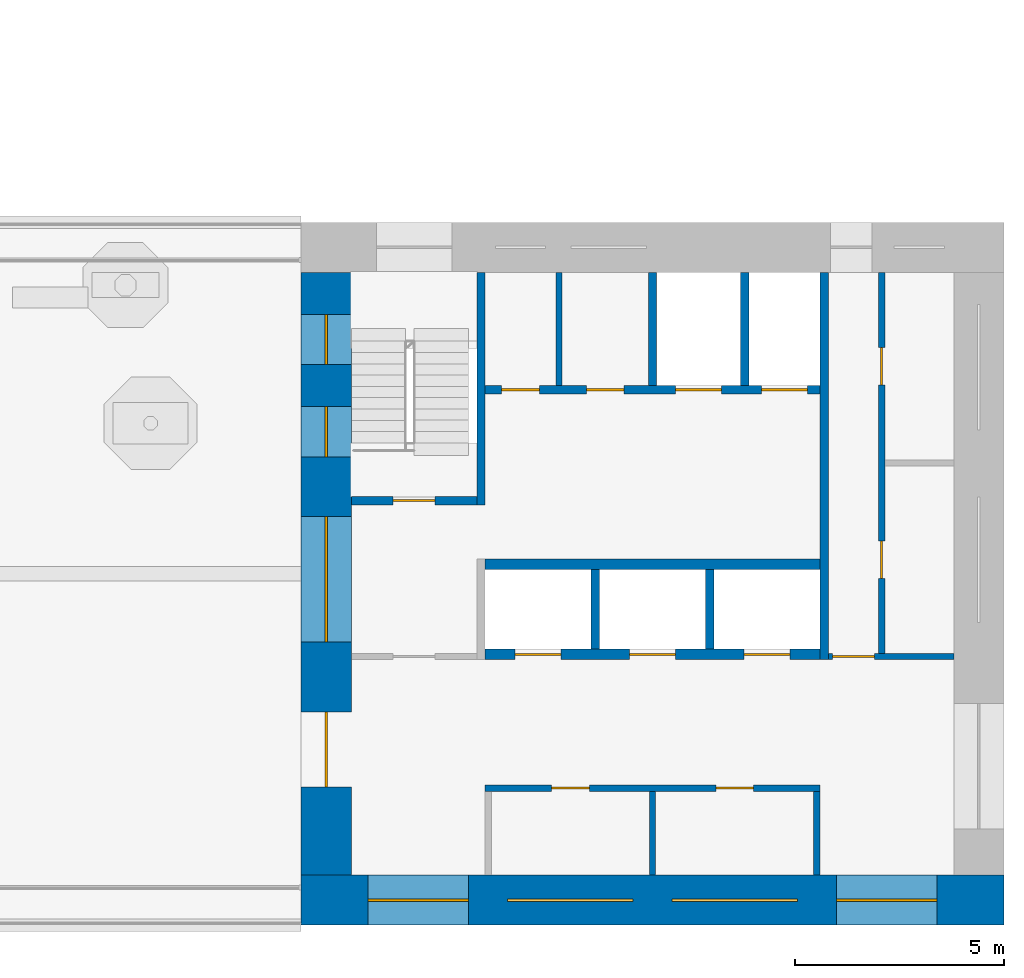
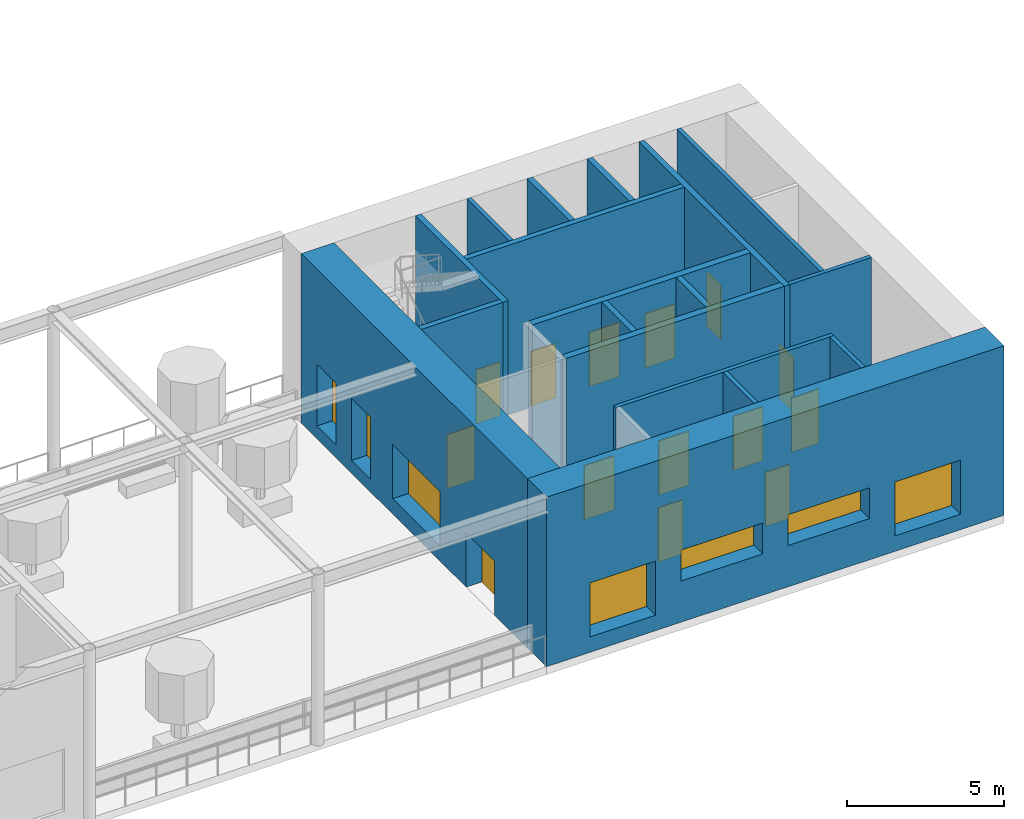
# One storey, part 9 of 15: 18 walls, 14 doors, 7 windows, 21 openings.
"""IFC4 building model written with IfcOpenShell, lengths in metres."""

from ifc_helpers import new_model, si_unit, direction, frame, frame_2d, origin, place, context, subcontext, project, spatial, rectangle, extrude, material, layer, layer_set, type_object, element, fill, save


model = new_model("IFC4")

# Units and contexts
model_context = context("Model", 3, precision=1e-05, world=origin(), true_north=direction((0.0, 1.0)))
body_context = subcontext(model_context, "Body", "Model", "MODEL_VIEW")
ifc_project = project(units=[si_unit("LENGTHUNIT", "METRE"), si_unit("AREAUNIT", "SQUARE_METRE"), si_unit("VOLUMEUNIT", "CUBIC_METRE"), si_unit("PLANEANGLEUNIT", "RADIAN"), si_unit("MASSUNIT", "GRAM", prefix="KILO")], contexts=[model_context])

# Site, building, storey
site_placement = place(None, origin())
site = spatial("IfcSite", under=ifc_project, at=site_placement, CompositionType="ELEMENT")
building_placement = place(site_placement, origin())
building = spatial("IfcBuilding", under=site, at=building_placement, Name="Vermilion Gate Residences", CompositionType="ELEMENT")
storey_placement = place(building_placement, frame((0.0, 0.0, 277.199951171875)))
storey = spatial("IfcBuildingStorey", under=building, at=storey_placement, Name="L73", CompositionType="ELEMENT", Elevation=277.199951171875)

# Walls
ifc_material_1 = material(Name="Masonry blockwork", Category="masonry")
ifc_layer_1 = layer(ifc_material_1, 0.14990234375)
ifc_layer_set_1 = layer_set([ifc_layer_1], Name="BLOCKWORK PARTITION 150 EI 120")
wall_type_1 = type_object("IfcWallType", Name="BLOCKWORK PARTITION 150 EI 120", PredefinedType="PARTITIONING", material=ifc_layer_set_1)
for number, where, z_axis, x_axis, name in (
    (1, (54.324951171875, 9.60009765625, 0.0), (0.0, 0.0, 1.0), (0.0, 1.0, 0.0), "Core room partition A73-RW-E"),
    (2, (50.39990234375, 9.60009765625, 0.0), (0.0, 0.0, 1.0), (0.0, 1.0, 0.0), "Core room partition A73-SR-P0"),
):
    element("IfcWall", number, at=place(storey_placement, frame(where, z_axis=z_axis, x_axis=x_axis)), inside=storey, type_object=wall_type_1, Name=name, PredefinedType="PARTITIONING", context=body_context, shape_type="SweptSolid", body=[
        extrude(rectangle(XDim=2.0, YDim=0.14990234375, at=frame_2d((1.0, 0.0))), origin(), (0.0, 0.0, 1.0), 6.580078125),
    ])

# Wall, openings, doors
wall_1_placement = place(storey_placement, frame((46.39990234375, 11.675048828125, 0.0), z_axis=(0.0, 0.0, 1.0), x_axis=(1.0, 0.0, 0.0)))
wall_1 = element("IfcWall", 3, at=wall_1_placement, inside=storey, type_object=wall_type_1, Name="Core room partition A73-LR-F", PredefinedType="PARTITIONING", context=body_context, shape_type="SweptSolid", body=[
    extrude(rectangle(XDim=8.0, YDim=0.14990234375, at=frame_2d((4.0, 0.0))), origin(), (0.0, 0.0, 1.0), 6.580078125),
])
opening_1_placement = place(wall_1_placement, frame((1.58740234375, 0.0, 0.0)))
opening_1 = element("IfcOpeningElement", 4, at=opening_1_placement, cuts=wall_1, Name="Opening DK73002", PredefinedType="OPENING", context=body_context, shape_type="SweptSolid", body=[
    extrude(rectangle(XDim=0.89990234375, YDim=2.10009765625, at=frame_2d((0.449951171875, 1.050048828125))), frame((0.0, 0.0849609375, 0.0), z_axis=(0.0, -1.0, 0.0), x_axis=(1.0, 0.0, 0.0)), (0.0, 0.0, 1.0), 0.169921875),
])
opening_2_placement = place(wall_1_placement, frame((5.512451171875, 0.0, 0.0)))
opening_2 = element("IfcOpeningElement", 5, at=opening_2_placement, cuts=wall_1, Name="Opening DK73003", PredefinedType="OPENING", context=body_context, shape_type="SweptSolid", body=[
    extrude(rectangle(XDim=0.89990234375, YDim=2.10009765625, at=frame_2d((0.449951171875, 1.050048828125))), frame((0.0, 0.0849609375, 0.0), z_axis=(0.0, -1.0, 0.0), x_axis=(1.0, 0.0, 0.0)), (0.0, 0.0, 1.0), 0.169921875),
])
ifc_material_2 = material(Name="Steel", Category="steel")
door_type_1 = type_object("IfcDoorType", Name="SERVICE ROOM DOOR FD60 900 X 2100", OperationType="SINGLE_SWING_LEFT", PredefinedType="DOOR", material=ifc_material_2)
door_1_placement = place(opening_1_placement, frame((0.89990234375, 0.0, 0.0), z_axis=(0.0, 0.0, 1.0), x_axis=(-1.0, 0.0, 0.0)))
door_1 = element("IfcDoor", 6, at=door_1_placement, inside=storey, type_object=door_type_1, Name="Housekeeping store A73", OperationType="SINGLE_SWING_RIGHT", OverallHeight=2.10009765625, OverallWidth=0.89990234375, PredefinedType="DOOR", context=body_context, shape_type="SweptSolid", body=[
    extrude(rectangle(XDim=0.89990234375, YDim=2.10009765625, at=frame_2d((0.449951171875, 1.050048828125))), frame((0.0, 0.02490234375, 0.0), z_axis=(0.0, -1.0, 0.0), x_axis=(1.0, 0.0, 0.0)), (0.0, 0.0, 1.0), 0.050048828125),
])
fill(opening_1, door_1)
door_2_placement = place(opening_2_placement, frame((0.89990234375, 0.0, 0.0), z_axis=(0.0, 0.0, 1.0), x_axis=(-1.0, 0.0, 0.0)))
door_2 = element("IfcDoor", 7, at=door_2_placement, inside=storey, type_object=door_type_1, Name="Fire equipment store A73", OperationType="SINGLE_SWING_RIGHT", OverallHeight=2.10009765625, OverallWidth=0.89990234375, PredefinedType="DOOR", context=body_context, shape_type="SweptSolid", body=[
    extrude(rectangle(XDim=0.89990234375, YDim=2.10009765625, at=frame_2d((0.449951171875, 1.050048828125))), frame((0.0, 0.02490234375, 0.0), z_axis=(0.0, -1.0, 0.0), x_axis=(1.0, 0.0, 0.0)), (0.0, 0.0, 1.0), 0.050048828125),
])
fill(opening_2, door_2)

# Wall
wall_2_placement = place(storey_placement, frame((48.16259765625, 21.300048828125, 0.0), z_axis=(0.0, 0.0, 1.0), x_axis=(0.0, 1.0, 0.0)))
element("IfcWall", 8, at=wall_2_placement, inside=storey, type_object=wall_type_1, Name="Core room partition A73-NR-P0", PredefinedType="PARTITIONING", context=body_context, shape_type="SweptSolid", body=[
    extrude(rectangle(XDim=2.699951171875, YDim=0.14990234375, at=frame_2d((1.35009765625, 0.0))), origin(), (0.0, 0.0, 1.0), 6.580078125),
])

# Wall, opening, door
wall_3_placement = place(storey_placement, frame((54.60009765625, 14.824951171875, 0.0), z_axis=(0.0, 0.0, 1.0), x_axis=(1.0, 0.0, 0.0)))
wall_3 = element("IfcWall", 9, at=wall_3_placement, inside=storey, type_object=wall_type_1, Name="Core room partition A73-ES-S", PredefinedType="PARTITIONING", context=body_context, shape_type="SweptSolid", body=[
    extrude(rectangle(XDim=3.0, YDim=0.14990234375, at=frame_2d((1.5, 0.0))), origin(), (0.0, 0.0, 1.0), 6.580078125),
])
opening_3_placement = place(wall_3_placement, frame((0.10009765625, 0.0, 0.0)))
opening_3 = element("IfcOpeningElement", 10, at=opening_3_placement, cuts=wall_3, Name="Opening DK73013", PredefinedType="OPENING", context=body_context, shape_type="SweptSolid", body=[
    extrude(rectangle(XDim=1.0, YDim=2.10009765625, at=frame_2d((0.5, 1.050048828125))), frame((0.0, 0.0849609375, 0.0), z_axis=(0.0, -1.0, 0.0), x_axis=(1.0, 0.0, 0.0)), (0.0, 0.0, 1.0), 0.169921875),
])
ifc_material_3 = material(Name="Steel", Category="steel")
door_type_2 = type_object("IfcDoorType", Name="FIRE DOOR FD60 1000 X 2100", OperationType="SINGLE_SWING_LEFT", PredefinedType="DOOR", material=ifc_material_3)
door_3_placement = place(opening_3_placement, frame((1.0, 0.0, 0.0), z_axis=(0.0, 0.0, 1.0), x_axis=(-1.0, 0.0, 0.0)))
door_3 = element("IfcDoor", 11, at=door_3_placement, inside=storey, type_object=door_type_2, Name="Service corridor door A73", OperationType="SINGLE_SWING_LEFT", OverallHeight=2.10009765625, OverallWidth=1.0, PredefinedType="DOOR", context=body_context, shape_type="SweptSolid", body=[
    extrude(rectangle(XDim=1.0, YDim=2.10009765625, at=frame_2d((0.5, 1.050048828125))), frame((0.0, 0.02490234375, 0.0), z_axis=(0.0, -1.0, 0.0), x_axis=(1.0, 0.0, 0.0)), (0.0, 0.0, 1.0), 0.050048828125),
])
fill(opening_3, door_3)

# Wall, openings, doors
wall_4_placement = place(storey_placement, frame((55.875, 14.89990234375, 0.0), z_axis=(0.0, 0.0, 1.0), x_axis=(0.0, 1.0, 0.0)))
wall_4 = element("IfcWall", 12, at=wall_4_placement, inside=storey, type_object=wall_type_1, Name="Core room partition A73-ES-W", PredefinedType="PARTITIONING", context=body_context, shape_type="SweptSolid", body=[
    extrude(rectangle(XDim=9.10009765625, YDim=0.14990234375, at=frame_2d((4.550048828125, 0.0))), origin(), (0.0, 0.0, 1.0), 6.580078125),
])
opening_4_placement = place(wall_4_placement, frame((1.78759765625, 0.0, 0.0)))
opening_4 = element("IfcOpeningElement", 13, at=opening_4_placement, cuts=wall_4, Name="Opening DK73014", PredefinedType="OPENING", context=body_context, shape_type="SweptSolid", body=[
    extrude(rectangle(XDim=0.89990234375, YDim=2.10009765625, at=frame_2d((0.449951171875, 1.050048828125))), frame((0.0, 0.0849609375, 0.0), z_axis=(0.0, -1.0, 0.0), x_axis=(1.0, 0.0, 0.0)), (0.0, 0.0, 1.0), 0.169921875),
])
opening_5_placement = place(wall_4_placement, frame((6.41259765625, 0.0, 0.0)))
opening_5 = element("IfcOpeningElement", 14, at=opening_5_placement, cuts=wall_4, Name="Opening DK73015", PredefinedType="OPENING", context=body_context, shape_type="SweptSolid", body=[
    extrude(rectangle(XDim=0.89990234375, YDim=2.10009765625, at=frame_2d((0.449951171875, 1.050048828125))), frame((0.0, 0.0849609375, 0.0), z_axis=(0.0, -1.0, 0.0), x_axis=(1.0, 0.0, 0.0)), (0.0, 0.0, 1.0), 0.169921875),
])
door_4_placement = place(opening_4_placement, frame((0.89990234375, 0.0, 0.0), z_axis=(0.0, 0.0, 1.0), x_axis=(-1.0, 0.0, 0.0)))
door_4 = element("IfcDoor", 15, at=door_4_placement, inside=storey, type_object=door_type_1, Name="Electrical room A73", OperationType="SINGLE_SWING_RIGHT", OverallHeight=2.10009765625, OverallWidth=0.89990234375, PredefinedType="DOOR", context=body_context, shape_type="SweptSolid", body=[
    extrude(rectangle(XDim=0.89990234375, YDim=2.10009765625, at=frame_2d((0.449951171875, 1.050048828125))), frame((0.0, 0.02490234375, 0.0), z_axis=(0.0, -1.0, 0.0), x_axis=(1.0, 0.0, 0.0)), (0.0, 0.0, 1.0), 0.050048828125),
])
fill(opening_4, door_4)
door_5_placement = place(opening_5_placement, frame((0.89990234375, 0.0, 0.0), z_axis=(0.0, 0.0, 1.0), x_axis=(-1.0, 0.0, 0.0)))
door_5 = element("IfcDoor", 16, at=door_5_placement, inside=storey, type_object=door_type_1, Name="Storage room A73", OperationType="SINGLE_SWING_RIGHT", OverallHeight=2.10009765625, OverallWidth=0.89990234375, PredefinedType="DOOR", context=body_context, shape_type="SweptSolid", body=[
    extrude(rectangle(XDim=0.89990234375, YDim=2.10009765625, at=frame_2d((0.449951171875, 1.050048828125))), frame((0.0, 0.02490234375, 0.0), z_axis=(0.0, -1.0, 0.0), x_axis=(1.0, 0.0, 0.0)), (0.0, 0.0, 1.0), 0.050048828125),
])
fill(opening_5, door_5)

# Walls
ifc_material_4 = material(Name="Concrete C60", Category="concrete")
ifc_layer_2 = layer(ifc_material_4, 0.199951171875)
ifc_layer_set_2 = layer_set([ifc_layer_2], Name="RC CORE INTERNAL WALL 200 C60")
wall_type_2 = type_object("IfcWallType", Name="RC CORE INTERNAL WALL 200 C60", PredefinedType="SHEAR", material=ifc_layer_set_2)
for number, where, z_axis, x_axis, name in (
    (17, (49.033447265625, 15.0, 0.0), (0.0, 0.0, 1.0), (0.0, 1.0, 0.0), "Core internal wall A73-HR-D1"),
    (18, (51.7666015625, 15.0, 0.0), (0.0, 0.0, 1.0), (0.0, 1.0, 0.0), "Core internal wall A73-HR-D2"),
):
    element("IfcWall", number, at=place(storey_placement, frame(where, z_axis=z_axis, x_axis=x_axis)), inside=storey, type_object=wall_type_2, Name=name, PredefinedType="SHEAR", context=body_context, shape_type="SweptSolid", body=[
        extrude(rectangle(XDim=1.89990234375, YDim=0.199951171875, at=frame_2d((0.949951171875, 0.0))), origin(), (0.0, 0.0, 1.0), 6.580078125),
    ])
for number, where, z_axis, x_axis, name in (
    (19, (50.39990234375, 21.300048828125, 0.0), (0.0, 0.0, 1.0), (0.0, 1.0, 0.0), "Core internal wall A73-FF-D0"),
    (20, (52.60009765625, 21.300048828125, 0.0), (0.0, 0.0, 1.0), (0.0, 1.0, 0.0), "Core internal wall A73-FF-D1"),
):
    element("IfcWall", number, at=place(storey_placement, frame(where, z_axis=z_axis, x_axis=x_axis)), inside=storey, type_object=wall_type_2, Name=name, PredefinedType="SHEAR", context=body_context, shape_type="SweptSolid", body=[
        extrude(rectangle(XDim=2.699951171875, YDim=0.199951171875, at=frame_2d((1.35009765625, 0.0))), origin(), (0.0, 0.0, 1.0), 6.580078125),
    ])

# Wall, openings, doors
wall_5_placement = place(storey_placement, frame((46.39990234375, 21.199951171875, 0.0), z_axis=(0.0, 0.0, 1.0), x_axis=(1.0, 0.0, 0.0)))
wall_5 = element("IfcWall", 21, at=wall_5_placement, inside=storey, type_object=wall_type_2, Name="Core internal wall A73-FF-F", PredefinedType="SHEAR", context=body_context, shape_type="SweptSolid", body=[
    extrude(rectangle(XDim=8.0, YDim=0.199951171875, at=frame_2d((4.0, 0.0))), origin(), (0.0, 0.0, 1.0), 6.580078125),
])
opening_6_placement = place(wall_5_placement, frame((0.393798828125, 0.0, 0.0)))
opening_6 = element("IfcOpeningElement", 22, at=opening_6_placement, cuts=wall_5, Name="Opening DK73007", PredefinedType="OPENING", context=body_context, shape_type="SweptSolid", body=[
    extrude(rectangle(XDim=0.89990234375, YDim=2.10009765625, at=frame_2d((0.449951171875, 1.050048828125))), frame((0.0, 0.10986328125, 0.0), z_axis=(0.0, -1.0, 0.0), x_axis=(1.0, 0.0, 0.0)), (0.0, 0.0, 1.0), 0.219970703125),
])
opening_7_placement = place(wall_5_placement, frame((2.418701171875, 0.0, 0.0)))
opening_7 = element("IfcOpeningElement", 23, at=opening_7_placement, cuts=wall_5, Name="Opening DK73008", PredefinedType="OPENING", context=body_context, shape_type="SweptSolid", body=[
    extrude(rectangle(XDim=0.89990234375, YDim=2.10009765625, at=frame_2d((0.449951171875, 1.050048828125))), frame((0.0, 0.10986328125, 0.0), z_axis=(0.0, -1.0, 0.0), x_axis=(1.0, 0.0, 0.0)), (0.0, 0.0, 1.0), 0.219970703125),
])
opening_8_placement = place(wall_5_placement, frame((4.550048828125, 0.0, 0.0)))
opening_8 = element("IfcOpeningElement", 24, at=opening_8_placement, cuts=wall_5, Name="Opening LD", PredefinedType="OPENING", context=body_context, shape_type="SweptSolid", body=[
    extrude(rectangle(XDim=1.10009765625, YDim=2.10009765625, at=frame_2d((0.550048828125, 1.050048828125))), frame((0.0, 0.10986328125, 0.0), z_axis=(0.0, -1.0, 0.0), x_axis=(1.0, 0.0, 0.0)), (0.0, 0.0, 1.0), 0.219970703125),
])
opening_9_placement = place(wall_5_placement, frame((6.60009765625, 0.0, 0.0)))
opening_9 = element("IfcOpeningElement", 25, at=opening_9_placement, cuts=wall_5, Name="Opening LD", PredefinedType="OPENING", context=body_context, shape_type="SweptSolid", body=[
    extrude(rectangle(XDim=1.10009765625, YDim=2.10009765625, at=frame_2d((0.550048828125, 1.050048828125))), frame((0.0, 0.10986328125, 0.0), z_axis=(0.0, -1.0, 0.0), x_axis=(1.0, 0.0, 0.0)), (0.0, 0.0, 1.0), 0.219970703125),
])
ifc_material_5 = material(Name="Stainless steel", Category="steel")
door_type_3 = type_object("IfcDoorType", Name="LIFT LANDING DOOR E60 1100 X 2100", OperationType="DOUBLE_DOOR_SLIDING", PredefinedType="DOOR", material=ifc_material_5)
door_6_placement = place(opening_8_placement, origin())
door_6 = element("IfcDoor", 26, at=door_6_placement, inside=storey, type_object=door_type_3, Name="Lift landing door LFA1", OperationType="DOUBLE_DOOR_SLIDING", OverallHeight=2.10009765625, OverallWidth=1.10009765625, PredefinedType="DOOR", context=body_context, shape_type="SweptSolid", body=[
    extrude(rectangle(XDim=1.10009765625, YDim=2.10009765625, at=frame_2d((0.550048828125, 1.050048828125))), frame((0.0, 0.02490234375, 0.0), z_axis=(0.0, -1.0, 0.0), x_axis=(1.0, 0.0, 0.0)), (0.0, 0.0, 1.0), 0.050048828125),
])
fill(opening_8, door_6)
door_7_placement = place(opening_9_placement, origin())
door_7 = element("IfcDoor", 27, at=door_7_placement, inside=storey, type_object=door_type_3, Name="Lift landing door LCA1", OperationType="DOUBLE_DOOR_SLIDING", OverallHeight=2.10009765625, OverallWidth=1.10009765625, PredefinedType="DOOR", context=body_context, shape_type="SweptSolid", body=[
    extrude(rectangle(XDim=1.10009765625, YDim=2.10009765625, at=frame_2d((0.550048828125, 1.050048828125))), frame((0.0, 0.02490234375, 0.0), z_axis=(0.0, -1.0, 0.0), x_axis=(1.0, 0.0, 0.0)), (0.0, 0.0, 1.0), 0.050048828125),
])
fill(opening_9, door_7)
door_8_placement = place(opening_6_placement, origin())
door_8 = element("IfcDoor", 28, at=door_8_placement, inside=storey, type_object=door_type_1, Name="Parcel room A73", OperationType="SINGLE_SWING_LEFT", OverallHeight=2.10009765625, OverallWidth=0.89990234375, PredefinedType="DOOR", context=body_context, shape_type="SweptSolid", body=[
    extrude(rectangle(XDim=0.89990234375, YDim=2.10009765625, at=frame_2d((0.449951171875, 1.050048828125))), frame((0.0, 0.02490234375, 0.0), z_axis=(0.0, -1.0, 0.0), x_axis=(1.0, 0.0, 0.0)), (0.0, 0.0, 1.0), 0.050048828125),
])
fill(opening_6, door_8)
door_9_placement = place(opening_7_placement, frame((0.89990234375, 0.0, 0.0), z_axis=(0.0, 0.0, 1.0), x_axis=(-1.0, 0.0, 0.0)))
door_9 = element("IfcDoor", 29, at=door_9_placement, inside=storey, type_object=door_type_1, Name="Electrical room A73", OperationType="SINGLE_SWING_RIGHT", OverallHeight=2.10009765625, OverallWidth=0.89990234375, PredefinedType="DOOR", context=body_context, shape_type="SweptSolid", body=[
    extrude(rectangle(XDim=0.89990234375, YDim=2.10009765625, at=frame_2d((0.449951171875, 1.050048828125))), frame((0.0, 0.02490234375, 0.0), z_axis=(0.0, -1.0, 0.0), x_axis=(1.0, 0.0, 0.0)), (0.0, 0.0, 1.0), 0.050048828125),
])
fill(opening_7, door_9)

# Wall
wall_6_placement = place(storey_placement, frame((46.300048828125, 18.449951171875, 0.0), z_axis=(0.0, 0.0, 1.0), x_axis=(0.0, 1.0, 0.0)))
element("IfcWall", 30, at=wall_6_placement, inside=storey, type_object=wall_type_2, Name="Core internal wall A73-WDIV2", PredefinedType="SHEAR", context=body_context, shape_type="SweptSolid", body=[
    extrude(rectangle(XDim=5.550048828125, YDim=0.199951171875, at=frame_2d((2.77490234375, 0.0))), origin(), (0.0, 0.0, 1.0), 6.580078125),
])

# Wall, opening, door
wall_7_placement = place(storey_placement, frame((43.199951171875, 18.550048828125, 0.0), z_axis=(0.0, 0.0, 1.0), x_axis=(1.0, 0.0, 0.0)))
wall_7 = element("IfcWall", 31, at=wall_7_placement, inside=storey, type_object=wall_type_2, Name="Core internal wall A73-STW-S", PredefinedType="SHEAR", context=body_context, shape_type="SweptSolid", body=[
    extrude(rectangle(XDim=3.0, YDim=0.199951171875, at=frame_2d((1.5, 0.0))), origin(), (0.0, 0.0, 1.0), 6.580078125),
])
opening_10_placement = place(wall_7_placement, frame((1.0, 0.0, 0.0)))
opening_10 = element("IfcOpeningElement", 32, at=opening_10_placement, cuts=wall_7, Name="Opening DK73012", PredefinedType="OPENING", context=body_context, shape_type="SweptSolid", body=[
    extrude(rectangle(XDim=1.0, YDim=2.10009765625, at=frame_2d((0.5, 1.050048828125))), frame((0.0, 0.10986328125, 0.0), z_axis=(0.0, -1.0, 0.0), x_axis=(1.0, 0.0, 0.0)), (0.0, 0.0, 1.0), 0.219970703125),
])
door_10_placement = place(opening_10_placement, origin())
door_10 = element("IfcDoor", 33, at=door_10_placement, inside=storey, type_object=door_type_2, Name="Stair door A73", OperationType="SINGLE_SWING_RIGHT", OverallHeight=2.10009765625, OverallWidth=1.0, PredefinedType="DOOR", context=body_context, shape_type="SweptSolid", body=[
    extrude(rectangle(XDim=1.0, YDim=2.10009765625, at=frame_2d((0.5, 1.050048828125))), frame((0.0, 0.02490234375, 0.0), z_axis=(0.0, -1.0, 0.0), x_axis=(1.0, 0.0, 0.0)), (0.0, 0.0, 1.0), 0.050048828125),
])
fill(opening_10, door_10)

# Wall
wall_8_placement = place(storey_placement, frame((54.5, 14.75, 0.0), z_axis=(0.0, 0.0, 1.0), x_axis=(0.0, 1.0, 0.0)))
element("IfcWall", 34, at=wall_8_placement, inside=storey, type_object=wall_type_2, Name="Core internal wall A73-EDIV", PredefinedType="SHEAR", context=body_context, shape_type="SweptSolid", body=[
    extrude(rectangle(XDim=9.25, YDim=0.199951171875, at=frame_2d((4.625, 0.0))), origin(), (0.0, 0.0, 1.0), 6.580078125),
])

# Wall, openings, windows
ifc_material_6 = material(Name="Concrete C50 red-oxide pigmented", Category="concrete")
ifc_layer_3 = layer(ifc_material_6, 1.199951171875)
ifc_layer_set_3 = layer_set([ifc_layer_3], Name="RC CORE WALL 1200 C50 RED OXIDE")
wall_type_3 = type_object("IfcWallType", Name="RC CORE WALL 1200 C50 RED OXIDE", PredefinedType="SHEAR", material=ifc_layer_set_3)
wall_9_placement = place(storey_placement, frame((42.0, 9.0, 0.0), z_axis=(0.0, 0.0, 1.0), x_axis=(1.0, 0.0, 0.0)))
wall_9 = element("IfcWall", 35, at=wall_9_placement, inside=storey, type_object=wall_type_3, Name="Core wall A73-OUT-B0", PredefinedType="SHEAR", context=body_context, shape_type="SweptSolid", body=[
    extrude(rectangle(XDim=16.800048828125, YDim=1.199951171875, at=frame_2d((8.39990234375, 0.0))), origin(), (0.0, 0.0, 1.0), 6.580078125),
])
opening_11_placement = place(wall_9_placement, frame((1.60009765625, 0.0, 0.60009765625)))
opening_11 = element("IfcOpeningElement", 36, at=opening_11_placement, cuts=wall_9, Name="Opening WKA7301", PredefinedType="OPENING", context=body_context, shape_type="SweptSolid", body=[
    extrude(rectangle(XDim=2.39990234375, YDim=2.10009765625, at=frame_2d((1.199951171875, 1.050048828125))), frame((0.0, 0.60986328125, 0.0), z_axis=(0.0, -1.0, 0.0), x_axis=(1.0, 0.0, 0.0)), (0.0, 0.0, 1.0), 1.219970703125),
])
opening_12_placement = place(wall_9_placement, frame((4.9375, 0.0, 1.60009765625)))
opening_12 = element("IfcOpeningElement", 37, at=opening_12_placement, cuts=wall_9, Name="Opening WKA7302", PredefinedType="OPENING", context=body_context, shape_type="SweptSolid", body=[
    extrude(rectangle(XDim=3.0, YDim=1.199951171875, at=frame_2d((1.5, 0.60009765625))), frame((0.0, 0.60986328125, 0.0), z_axis=(0.0, -1.0, 0.0), x_axis=(1.0, 0.0, 0.0)), (0.0, 0.0, 1.0), 1.219970703125),
])
opening_13_placement = place(wall_9_placement, frame((8.862548828125, 0.0, 1.60009765625)))
opening_13 = element("IfcOpeningElement", 38, at=opening_13_placement, cuts=wall_9, Name="Opening WKA7303", PredefinedType="OPENING", context=body_context, shape_type="SweptSolid", body=[
    extrude(rectangle(XDim=3.0, YDim=1.199951171875, at=frame_2d((1.5, 0.60009765625))), frame((0.0, 0.60986328125, 0.0), z_axis=(0.0, -1.0, 0.0), x_axis=(1.0, 0.0, 0.0)), (0.0, 0.0, 1.0), 1.219970703125),
])
opening_14_placement = place(wall_9_placement, frame((12.800048828125, 0.0, 0.60009765625)))
opening_14 = element("IfcOpeningElement", 39, at=opening_14_placement, cuts=wall_9, Name="Opening WKA7304", PredefinedType="OPENING", context=body_context, shape_type="SweptSolid", body=[
    extrude(rectangle(XDim=2.39990234375, YDim=2.10009765625, at=frame_2d((1.199951171875, 1.050048828125))), frame((0.0, 0.60986328125, 0.0), z_axis=(0.0, -1.0, 0.0), x_axis=(1.0, 0.0, 0.0)), (0.0, 0.0, 1.0), 1.219970703125),
])
ifc_material_7 = material(Name="Aluminium and clear glass", Category="aluminium")
window_type_1 = type_object("IfcWindowType", Name="CORE LOBBY WINDOW 2400 X 2100", PartitioningType="SINGLE_PANEL", PredefinedType="WINDOW", material=ifc_material_7)
window_1_placement = place(opening_11_placement, origin())
window_1 = element("IfcWindow", 40, at=window_1_placement, inside=storey, type_object=window_type_1, Name="Core lobby window", OverallHeight=2.10009765625, OverallWidth=2.39990234375, PartitioningType="SINGLE_PANEL", PredefinedType="WINDOW", context=body_context, shape_type="SweptSolid", body=[
    extrude(rectangle(XDim=2.39990234375, YDim=2.10009765625, at=frame_2d((1.199951171875, 1.050048828125))), frame((0.0, 0.030029296875, 0.0), z_axis=(0.0, -1.0, 0.0), x_axis=(1.0, 0.0, 0.0)), (0.0, 0.0, 1.0), 0.06005859375),
])
fill(opening_11, window_1)
window_2_placement = place(opening_14_placement, origin())
window_2 = element("IfcWindow", 41, at=window_2_placement, inside=storey, type_object=window_type_1, Name="Core lobby window", OverallHeight=2.10009765625, OverallWidth=2.39990234375, PartitioningType="SINGLE_PANEL", PredefinedType="WINDOW", context=body_context, shape_type="SweptSolid", body=[
    extrude(rectangle(XDim=2.39990234375, YDim=2.10009765625, at=frame_2d((1.199951171875, 1.050048828125))), frame((0.0, 0.030029296875, 0.0), z_axis=(0.0, -1.0, 0.0), x_axis=(1.0, 0.0, 0.0)), (0.0, 0.0, 1.0), 0.06005859375),
])
fill(opening_14, window_2)
ifc_material_8 = material(Name="Aluminium frame with louvre blades", Category="aluminium")
window_type_2 = type_object("IfcWindowType", Name="CORE LOUVRE 3000 X 1200", PartitioningType="SINGLE_PANEL", PredefinedType="WINDOW", material=ifc_material_8)
window_3_placement = place(opening_12_placement, origin())
window_3 = element("IfcWindow", 42, at=window_3_placement, inside=storey, type_object=window_type_2, Name="Core louvre", OverallHeight=1.199951171875, OverallWidth=3.0, PartitioningType="SINGLE_PANEL", PredefinedType="WINDOW", context=body_context, shape_type="SweptSolid", body=[
    extrude(rectangle(XDim=3.0, YDim=1.199951171875, at=frame_2d((1.5, 0.60009765625))), frame((0.0, 0.030029296875, 0.0), z_axis=(0.0, -1.0, 0.0), x_axis=(1.0, 0.0, 0.0)), (0.0, 0.0, 1.0), 0.06005859375),
])
fill(opening_12, window_3)
window_4_placement = place(opening_13_placement, origin())
window_4 = element("IfcWindow", 43, at=window_4_placement, inside=storey, type_object=window_type_2, Name="Core louvre", OverallHeight=1.199951171875, OverallWidth=3.0, PartitioningType="SINGLE_PANEL", PredefinedType="WINDOW", context=body_context, shape_type="SweptSolid", body=[
    extrude(rectangle(XDim=3.0, YDim=1.199951171875, at=frame_2d((1.5, 0.60009765625))), frame((0.0, 0.030029296875, 0.0), z_axis=(0.0, -1.0, 0.0), x_axis=(1.0, 0.0, 0.0)), (0.0, 0.0, 1.0), 0.06005859375),
])
fill(opening_13, window_4)

# Wall, openings, windows, door
wall_10_placement = place(storey_placement, frame((42.60009765625, 9.60009765625, 0.0), z_axis=(0.0, 0.0, 1.0), x_axis=(0.0, 1.0, 0.0)))
wall_10 = element("IfcWall", 44, at=wall_10_placement, inside=storey, type_object=wall_type_3, Name="Core wall A73-OUT-FR", PredefinedType="SHEAR", context=body_context, shape_type="SweptSolid", body=[
    extrude(rectangle(XDim=14.39990234375, YDim=1.199951171875, at=frame_2d((7.199951171875, 0.0))), origin(), (0.0, 0.0, 1.0), 6.580078125),
])
opening_15_placement = place(wall_10_placement, frame((2.10009765625, 0.0, 0.0)))
opening_15 = element("IfcOpeningElement", 45, at=opening_15_placement, cuts=wall_10, Name="Opening DK73001", PredefinedType="OPENING", context=body_context, shape_type="SweptSolid", body=[
    extrude(rectangle(XDim=1.800048828125, YDim=2.10009765625, at=frame_2d((0.89990234375, 1.050048828125))), frame((0.0, 0.60986328125, 0.0), z_axis=(0.0, -1.0, 0.0), x_axis=(1.0, 0.0, 0.0)), (0.0, 0.0, 1.0), 1.219970703125),
])
opening_16_placement = place(wall_10_placement, frame((5.574951171875, 0.0, 0.60009765625)))
opening_16 = element("IfcOpeningElement", 46, at=opening_16_placement, cuts=wall_10, Name="Opening WKA7310", PredefinedType="OPENING", context=body_context, shape_type="SweptSolid", body=[
    extrude(rectangle(XDim=3.0, YDim=2.10009765625, at=frame_2d((1.5, 1.050048828125))), frame((0.0, 0.60986328125, 0.0), z_axis=(0.0, -1.0, 0.0), x_axis=(1.0, 0.0, 0.0)), (0.0, 0.0, 1.0), 1.219970703125),
])
opening_17_placement = place(wall_10_placement, frame((9.993408203125, 0.0, 0.5)))
opening_17 = element("IfcOpeningElement", 47, at=opening_17_placement, cuts=wall_10, Name="Opening WKA7311", PredefinedType="OPENING", context=body_context, shape_type="SweptSolid", body=[
    extrude(rectangle(XDim=1.199951171875, YDim=2.39990234375, at=frame_2d((0.60009765625, 1.199951171875))), frame((0.0, 0.60986328125, 0.0), z_axis=(0.0, -1.0, 0.0), x_axis=(1.0, 0.0, 0.0)), (0.0, 0.0, 1.0), 1.219970703125),
])
opening_18_placement = place(wall_10_placement, frame((12.19677734375, 0.0, 0.5)))
opening_18 = element("IfcOpeningElement", 48, at=opening_18_placement, cuts=wall_10, Name="Opening WKA7312", PredefinedType="OPENING", context=body_context, shape_type="SweptSolid", body=[
    extrude(rectangle(XDim=1.199951171875, YDim=2.39990234375, at=frame_2d((0.60009765625, 1.199951171875))), frame((0.0, 0.60986328125, 0.0), z_axis=(0.0, -1.0, 0.0), x_axis=(1.0, 0.0, 0.0)), (0.0, 0.0, 1.0), 1.219970703125),
])
ifc_material_9 = material(Name="Aluminium and clear glass", Category="aluminium")
window_type_3 = type_object("IfcWindowType", Name="CORE LOBBY WINDOW 3000 X 2100", PartitioningType="SINGLE_PANEL", PredefinedType="WINDOW", material=ifc_material_9)
window_5_placement = place(opening_16_placement, origin())
window_5 = element("IfcWindow", 49, at=window_5_placement, inside=storey, type_object=window_type_3, Name="Core lobby window", OverallHeight=2.10009765625, OverallWidth=3.0, PartitioningType="SINGLE_PANEL", PredefinedType="WINDOW", context=body_context, shape_type="SweptSolid", body=[
    extrude(rectangle(XDim=3.0, YDim=2.10009765625, at=frame_2d((1.5, 1.050048828125))), frame((0.0, 0.030029296875, 0.0), z_axis=(0.0, -1.0, 0.0), x_axis=(1.0, 0.0, 0.0)), (0.0, 0.0, 1.0), 0.06005859375),
])
fill(opening_16, window_5)
ifc_material_10 = material(Name="Aluminium and clear glass", Category="aluminium")
window_type_4 = type_object("IfcWindowType", Name="CORE STAIR WINDOW 1200 X 2400", PartitioningType="SINGLE_PANEL", PredefinedType="WINDOW", material=ifc_material_10)
window_6_placement = place(opening_17_placement, origin())
window_6 = element("IfcWindow", 50, at=window_6_placement, inside=storey, type_object=window_type_4, Name="Core stair window", OverallHeight=2.39990234375, OverallWidth=1.199951171875, PartitioningType="SINGLE_PANEL", PredefinedType="WINDOW", context=body_context, shape_type="SweptSolid", body=[
    extrude(rectangle(XDim=1.199951171875, YDim=2.39990234375, at=frame_2d((0.60009765625, 1.199951171875))), frame((0.0, 0.030029296875, 0.0), z_axis=(0.0, -1.0, 0.0), x_axis=(1.0, 0.0, 0.0)), (0.0, 0.0, 1.0), 0.06005859375),
])
fill(opening_17, window_6)
window_7_placement = place(opening_18_placement, origin())
window_7 = element("IfcWindow", 51, at=window_7_placement, inside=storey, type_object=window_type_4, Name="Core stair window", OverallHeight=2.39990234375, OverallWidth=1.199951171875, PartitioningType="SINGLE_PANEL", PredefinedType="WINDOW", context=body_context, shape_type="SweptSolid", body=[
    extrude(rectangle(XDim=1.199951171875, YDim=2.39990234375, at=frame_2d((0.60009765625, 1.199951171875))), frame((0.0, 0.030029296875, 0.0), z_axis=(0.0, -1.0, 0.0), x_axis=(1.0, 0.0, 0.0)), (0.0, 0.0, 1.0), 0.06005859375),
])
fill(opening_18, window_7)
ifc_material_11 = material(Name="Aluminium and glass", Category="aluminium")
door_type_4 = type_object("IfcDoorType", Name="EXTERIOR DOOR 1800 X 2100", OperationType="DOUBLE_DOOR_SINGLE_SWING", PredefinedType="DOOR", material=ifc_material_11)
door_11_placement = place(opening_15_placement, frame((1.800048828125, 0.0, 0.0), z_axis=(0.0, 0.0, 1.0), x_axis=(-1.0, 0.0, 0.0)))
door_11 = element("IfcDoor", 52, at=door_11_placement, inside=storey, type_object=door_type_4, Name="Observation deck door A73", OperationType="DOUBLE_DOOR_SINGLE_SWING", OverallHeight=2.10009765625, OverallWidth=1.800048828125, PredefinedType="DOOR", context=body_context, shape_type="SweptSolid", body=[
    extrude(rectangle(XDim=1.800048828125, YDim=2.10009765625, at=frame_2d((0.89990234375, 1.050048828125))), frame((0.0, 0.02490234375, 0.0), z_axis=(0.0, -1.0, 0.0), x_axis=(1.0, 0.0, 0.0)), (0.0, 0.0, 1.0), 0.050048828125),
])
fill(opening_15, door_11)

# Wall, openings, doors
ifc_material_12 = material(Name="Concrete C60", Category="concrete")
ifc_layer_4 = layer(ifc_material_12, 0.25)
ifc_layer_set_4 = layer_set([ifc_layer_4], Name="RC LIFT SHAFT WALL 250 C60")
wall_type_4 = type_object("IfcWallType", Name="RC LIFT SHAFT WALL 250 C60", PredefinedType="SHEAR", material=ifc_layer_set_4)
wall_11_placement = place(storey_placement, frame((46.39990234375, 14.875, 0.0), z_axis=(0.0, 0.0, 1.0), x_axis=(1.0, 0.0, 0.0)))
wall_11 = element("IfcWall", 53, at=wall_11_placement, inside=storey, type_object=wall_type_4, Name="Lift shaft wall A73-HR-F", PredefinedType="SHEAR", context=body_context, shape_type="SweptSolid", body=[
    extrude(rectangle(XDim=8.0, YDim=0.25, at=frame_2d((4.0, 0.0))), origin(), (0.0, 0.0, 1.0), 6.580078125),
])
opening_19_placement = place(wall_11_placement, frame((0.716552734375, 0.0, 0.0)))
opening_19 = element("IfcOpeningElement", 54, at=opening_19_placement, cuts=wall_11, Name="Opening LD", PredefinedType="OPENING", context=body_context, shape_type="SweptSolid", body=[
    extrude(rectangle(XDim=1.10009765625, YDim=2.10009765625, at=frame_2d((0.550048828125, 1.050048828125))), frame((0.0, 0.135009765625, 0.0), z_axis=(0.0, -1.0, 0.0), x_axis=(1.0, 0.0, 0.0)), (0.0, 0.0, 1.0), 0.27001953125),
])
opening_20_placement = place(wall_11_placement, frame((3.449951171875, 0.0, 0.0)))
opening_20 = element("IfcOpeningElement", 55, at=opening_20_placement, cuts=wall_11, Name="Opening LD", PredefinedType="OPENING", context=body_context, shape_type="SweptSolid", body=[
    extrude(rectangle(XDim=1.10009765625, YDim=2.10009765625, at=frame_2d((0.550048828125, 1.050048828125))), frame((0.0, 0.135009765625, 0.0), z_axis=(0.0, -1.0, 0.0), x_axis=(1.0, 0.0, 0.0)), (0.0, 0.0, 1.0), 0.27001953125),
])
opening_21_placement = place(wall_11_placement, frame((6.183349609375, 0.0, 0.0)))
opening_21 = element("IfcOpeningElement", 56, at=opening_21_placement, cuts=wall_11, Name="Opening LD", PredefinedType="OPENING", context=body_context, shape_type="SweptSolid", body=[
    extrude(rectangle(XDim=1.10009765625, YDim=2.10009765625, at=frame_2d((0.550048828125, 1.050048828125))), frame((0.0, 0.135009765625, 0.0), z_axis=(0.0, -1.0, 0.0), x_axis=(1.0, 0.0, 0.0)), (0.0, 0.0, 1.0), 0.27001953125),
])
door_12_placement = place(opening_19_placement, origin())
door_12 = element("IfcDoor", 57, at=door_12_placement, inside=storey, type_object=door_type_3, Name="Lift landing door HRA1", OperationType="DOUBLE_DOOR_SLIDING", OverallHeight=2.10009765625, OverallWidth=1.10009765625, PredefinedType="DOOR", context=body_context, shape_type="SweptSolid", body=[
    extrude(rectangle(XDim=1.10009765625, YDim=2.10009765625, at=frame_2d((0.550048828125, 1.050048828125))), frame((0.0, 0.02490234375, 0.0), z_axis=(0.0, -1.0, 0.0), x_axis=(1.0, 0.0, 0.0)), (0.0, 0.0, 1.0), 0.050048828125),
])
fill(opening_19, door_12)
door_13_placement = place(opening_20_placement, origin())
door_13 = element("IfcDoor", 58, at=door_13_placement, inside=storey, type_object=door_type_3, Name="Lift landing door HRA2", OperationType="DOUBLE_DOOR_SLIDING", OverallHeight=2.10009765625, OverallWidth=1.10009765625, PredefinedType="DOOR", context=body_context, shape_type="SweptSolid", body=[
    extrude(rectangle(XDim=1.10009765625, YDim=2.10009765625, at=frame_2d((0.550048828125, 1.050048828125))), frame((0.0, 0.02490234375, 0.0), z_axis=(0.0, -1.0, 0.0), x_axis=(1.0, 0.0, 0.0)), (0.0, 0.0, 1.0), 0.050048828125),
])
fill(opening_20, door_13)
door_14_placement = place(opening_21_placement, origin())
door_14 = element("IfcDoor", 59, at=door_14_placement, inside=storey, type_object=door_type_3, Name="Lift landing door HRA3", OperationType="DOUBLE_DOOR_SLIDING", OverallHeight=2.10009765625, OverallWidth=1.10009765625, PredefinedType="DOOR", context=body_context, shape_type="SweptSolid", body=[
    extrude(rectangle(XDim=1.10009765625, YDim=2.10009765625, at=frame_2d((0.550048828125, 1.050048828125))), frame((0.0, 0.02490234375, 0.0), z_axis=(0.0, -1.0, 0.0), x_axis=(1.0, 0.0, 0.0)), (0.0, 0.0, 1.0), 0.050048828125),
])
fill(opening_21, door_14)

# Wall
wall_12_placement = place(storey_placement, frame((46.39990234375, 17.02490234375, 0.0), z_axis=(0.0, 0.0, 1.0), x_axis=(1.0, 0.0, 0.0)))
element("IfcWall", 60, at=wall_12_placement, inside=storey, type_object=wall_type_4, Name="Lift shaft wall A73-HR-B", PredefinedType="SHEAR", context=body_context, shape_type="SweptSolid", body=[
    extrude(rectangle(XDim=8.0, YDim=0.25, at=frame_2d((4.0, 0.0))), origin(), (0.0, 0.0, 1.0), 6.580078125),
])

save(model, "model.ifc")
